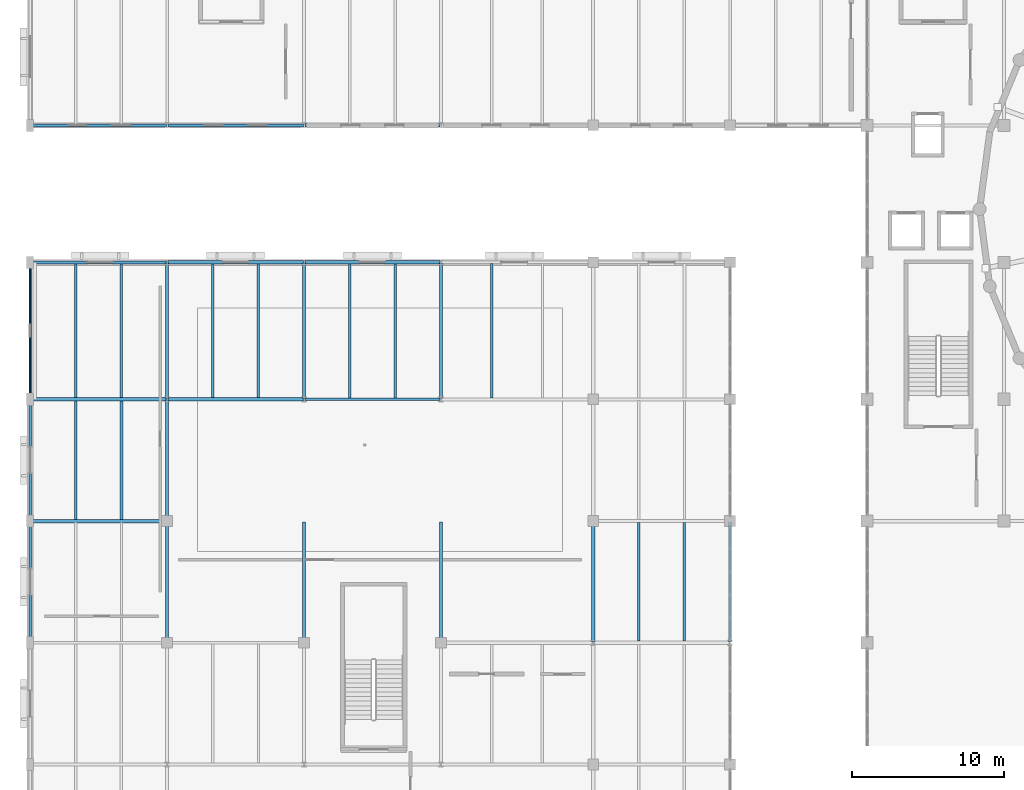
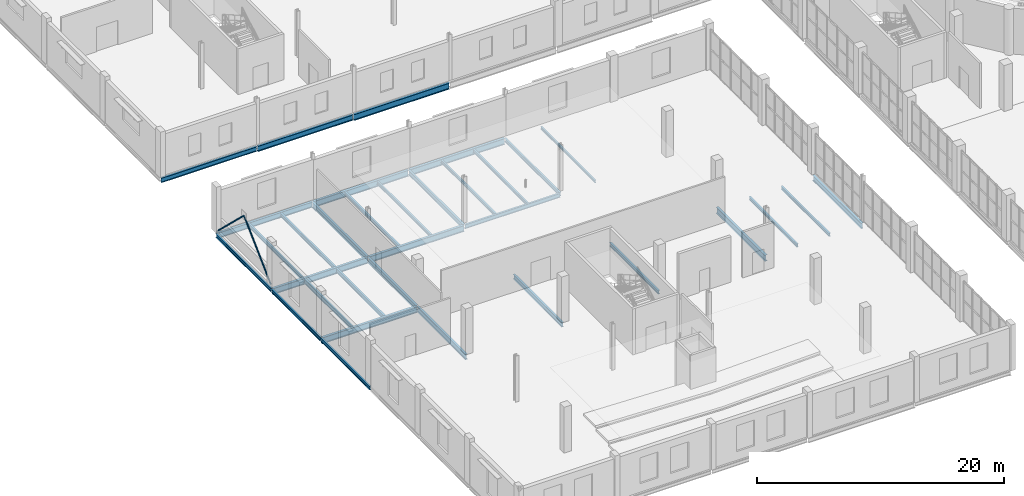
# One storey, part 26 of 93: 33 beams, 2 members.
"""IFC4 building model written with IfcOpenShell, lengths in metres."""

from ifc_helpers import new_model, si_unit, direction, frame, origin, origin_2d, place, context, subcontext, project, spatial, hollow_circle, i_section, extrude, material, material_profile, profile_set, type_object, element, save


model = new_model("IFC4")

# Units and contexts
model_context = context("Model", 3, precision=1e-05, world=origin(), true_north=direction((0.0, 1.0)))
body_context = subcontext(model_context, "Body", "Model", "MODEL_VIEW")
ifc_project = project(units=[si_unit("LENGTHUNIT", "METRE"), si_unit("AREAUNIT", "SQUARE_METRE"), si_unit("VOLUMEUNIT", "CUBIC_METRE"), si_unit("PLANEANGLEUNIT", "RADIAN"), si_unit("MASSUNIT", "GRAM", prefix="KILO")], contexts=[model_context])

# Site, building, storey
site_placement = place(None, origin())
site = spatial("IfcSite", under=ifc_project, at=site_placement, CompositionType="ELEMENT")
building_placement = place(site_placement, origin())
building = spatial("IfcBuilding", under=site, at=building_placement, Name="Marnock Terrace Opera House", CompositionType="ELEMENT")
storey_placement = place(building_placement, frame((0.0, 0.0, 5.39990234375)))
storey = spatial("IfcBuildingStorey", under=building, at=storey_placement, Name="L01", CompositionType="ELEMENT", Elevation=5.39990234375)

# Beams
ifc_material_1 = material(Name="Steel Grade 350 (AS/NZS 3679.1)", Category="steel")
ifc_material_profile_1 = material_profile(ifc_material_1, i_section(OverallWidth=0.1708984375, OverallDepth=0.355712890625, WebThickness=0.00732421875, FlangeThickness=0.011474609375, FilletRadius=0.011474609375, at=origin_2d()))
ifc_profile_set_1 = profile_set([ifc_material_profile_1], Name="Steel Grade 350 (AS/NZS 3679.1)")
beam_type_1 = type_object("IfcBeamType", Name="BM-GIRD-360", PredefinedType="BEAM", material=ifc_profile_set_1)
beam_1_placement = place(storey_placement, frame((27.0, 32.050048828125, -0.457763671875), z_axis=(0.0, 1.0, 0.0), x_axis=(-1.0, 0.0, 0.0)))
element("IfcBeam", 1, at=beam_1_placement, inside=storey, type_object=beam_type_1, Name="L01 girder (X=27.0, 32.0..40.0)", PredefinedType="BEAM", context=body_context, shape_type="SweptSolid", body=[
    extrude(i_section(OverallWidth=0.1708984375, OverallDepth=0.355712890625, WebThickness=0.00732421875, FlangeThickness=0.011474609375, FilletRadius=0.011474609375, at=origin_2d()), origin(), (0.0, 0.0, 1.0), 7.89990234375),
])
beam_2_placement = place(storey_placement, frame((27.0, 48.050048828125, -0.457763671875), z_axis=(0.0, 1.0, 0.0), x_axis=(-1.0, 0.0, 0.0)))
element("IfcBeam", 2, at=beam_2_placement, inside=storey, type_object=beam_type_1, Name="L01 girder (X=27.0, 48.0..57.0)", PredefinedType="BEAM", context=body_context, shape_type="SweptSolid", body=[
    extrude(i_section(OverallWidth=0.1708984375, OverallDepth=0.355712890625, WebThickness=0.00732421875, FlangeThickness=0.011474609375, FilletRadius=0.011474609375, at=origin_2d()), origin(), (0.0, 0.0, 1.0), 8.89990234375),
])
ifc_material_profile_2 = material_profile(ifc_material_1, i_section(OverallWidth=0.177978515625, OverallDepth=0.402587890625, WebThickness=0.007568359375, FlangeThickness=0.010986328125, FilletRadius=0.011474609375, at=origin_2d()))
ifc_profile_set_2 = profile_set([ifc_material_profile_2], Name="Steel Grade 350 (AS/NZS 3679.1)")
beam_type_2 = type_object("IfcBeamType", Name="BM-GIRD-410", PredefinedType="BEAM", material=ifc_profile_set_2)
beam_3_placement = place(storey_placement, frame((18.050048828125, 48.0, -0.481201171875), z_axis=(1.0, 0.0, 0.0), x_axis=(0.0, 1.0, 0.0)))
element("IfcBeam", 3, at=beam_3_placement, inside=storey, type_object=beam_type_2, Name="L01 girder (18.0..27.0, Y=48.0)", PredefinedType="BEAM", context=body_context, shape_type="SweptSolid", body=[
    extrude(i_section(OverallWidth=0.177978515625, OverallDepth=0.402587890625, WebThickness=0.007568359375, FlangeThickness=0.010986328125, FilletRadius=0.011474609375, at=origin_2d()), origin(), (0.0, 0.0, 1.0), 8.89990234375),
])
ifc_material_profile_3 = material_profile(ifc_material_1, i_section(OverallWidth=0.19091796875, OverallDepth=0.46044921875, WebThickness=0.010009765625, FlangeThickness=0.01611328125, FilletRadius=0.011474609375, at=origin_2d()))
ifc_profile_set_3 = profile_set([ifc_material_profile_3], Name="Steel Grade 350 (AS/NZS 3679.1)")
beam_type_3 = type_object("IfcBeamType", Name="BM-GIRD-460A", PredefinedType="BEAM", material=ifc_profile_set_3)
beam_4_placement = place(storey_placement, frame((0.050048828125, 66.0, -0.510009765625), z_axis=(1.0, 0.0, 0.0), x_axis=(0.0, 1.0, 0.0)))
element("IfcBeam", 4, at=beam_4_placement, inside=storey, type_object=beam_type_3, Name="L01 girder (0.0..9.0, Y=66.0)", PredefinedType="BEAM", context=body_context, shape_type="SweptSolid", body=[
    extrude(i_section(OverallWidth=0.19091796875, OverallDepth=0.46044921875, WebThickness=0.010009765625, FlangeThickness=0.01611328125, FilletRadius=0.011474609375, at=origin_2d()), origin(), (0.0, 0.0, 1.0), 8.89990234375),
])
ifc_material_profile_4 = material_profile(ifc_material_1, i_section(OverallWidth=0.18994140625, OverallDepth=0.45751953125, WebThickness=0.009033203125, FlangeThickness=0.014404296875, FilletRadius=0.011474609375, at=origin_2d()))
ifc_profile_set_4 = profile_set([ifc_material_profile_4], Name="Steel Grade 350 (AS/NZS 3679.1)")
beam_type_4 = type_object("IfcBeamType", Name="BM-GIRD-460B", PredefinedType="BEAM", material=ifc_profile_set_4)
beam_5_placement = place(storey_placement, frame((18.0, 32.050048828125, -0.508544921875), z_axis=(0.0, 1.0, 0.0), x_axis=(-1.0, 0.0, 0.0)))
element("IfcBeam", 5, at=beam_5_placement, inside=storey, type_object=beam_type_4, Name="L01 girder (X=18.0, 32.0..40.0)", PredefinedType="BEAM", context=body_context, shape_type="SweptSolid", body=[
    extrude(i_section(OverallWidth=0.18994140625, OverallDepth=0.45751953125, WebThickness=0.009033203125, FlangeThickness=0.014404296875, FilletRadius=0.011474609375, at=origin_2d()), origin(), (0.0, 0.0, 1.0), 7.89990234375),
])
beam_6_placement = place(storey_placement, frame((18.0, 48.050048828125, -0.508544921875), z_axis=(0.0, 1.0, 0.0), x_axis=(-1.0, 0.0, 0.0)))
element("IfcBeam", 6, at=beam_6_placement, inside=storey, type_object=beam_type_4, Name="L01 girder (X=18.0, 48.0..57.0)", PredefinedType="BEAM", context=body_context, shape_type="SweptSolid", body=[
    extrude(i_section(OverallWidth=0.18994140625, OverallDepth=0.45751953125, WebThickness=0.009033203125, FlangeThickness=0.014404296875, FilletRadius=0.011474609375, at=origin_2d()), origin(), (0.0, 0.0, 1.0), 8.89990234375),
])
ifc_material_profile_5 = material_profile(ifc_material_1, i_section(OverallWidth=0.208984375, OverallDepth=0.532958984375, WebThickness=0.01025390625, FlangeThickness=0.015625, FilletRadius=0.013916015625, at=origin_2d()))
ifc_profile_set_5 = profile_set([ifc_material_profile_5], Name="Steel Grade 350 (AS/NZS 3679.1)")
beam_type_5 = type_object("IfcBeamType", Name="BM-GIRD-530A", PredefinedType="BEAM", material=ifc_profile_set_5)
for number, where, z_axis, x_axis, name in (
    (7, (0.050048828125, 57.0, -0.54638671875), (1.0, 0.0, 0.0), (0.0, 1.0, 0.0), "L01 girder (0.0..9.0, Y=57.0)"),
    (8, (9.050048828125, 66.0, -0.54638671875), (1.0, 0.0, 0.0), (0.0, 1.0, 0.0), "L01 girder (9.0..18.0, Y=66.0)"),
):
    element("IfcBeam", number, at=place(storey_placement, frame(where, z_axis=z_axis, x_axis=x_axis)), inside=storey, type_object=beam_type_5, Name=name, PredefinedType="BEAM", context=body_context, shape_type="SweptSolid", body=[
        extrude(i_section(OverallWidth=0.208984375, OverallDepth=0.532958984375, WebThickness=0.01025390625, FlangeThickness=0.015625, FilletRadius=0.013916015625, at=origin_2d()), origin(), (0.0, 0.0, 1.0), 8.89990234375),
    ])
ifc_material_profile_6 = material_profile(ifc_material_1, i_section(OverallWidth=0.208984375, OverallDepth=0.528076171875, WebThickness=0.009521484375, FlangeThickness=0.01318359375, FilletRadius=0.013916015625, at=origin_2d()))
ifc_profile_set_6 = profile_set([ifc_material_profile_6], Name="Steel Grade 350 (AS/NZS 3679.1)")
beam_type_6 = type_object("IfcBeamType", Name="BM-GIRD-530B", PredefinedType="BEAM", material=ifc_profile_set_6)
for number, where, z_axis, x_axis, name in (
    (9, (9.0, 32.050048828125, -0.5439453125), (0.0, 1.0, 0.0), (-1.0, 0.0, 0.0), "L01 girder (X=9.0, 32.0..40.0)"),
    (10, (9.0, 40.050048828125, -0.5439453125), (0.0, 1.0, 0.0), (-1.0, 0.0, 0.0), "L01 girder (X=9.0, 40.0..48.0)"),
):
    element("IfcBeam", number, at=place(storey_placement, frame(where, z_axis=z_axis, x_axis=x_axis)), inside=storey, type_object=beam_type_6, Name=name, PredefinedType="BEAM", context=body_context, shape_type="SweptSolid", body=[
        extrude(i_section(OverallWidth=0.208984375, OverallDepth=0.528076171875, WebThickness=0.009521484375, FlangeThickness=0.01318359375, FilletRadius=0.013916015625, at=origin_2d()), origin(), (0.0, 0.0, 1.0), 7.89990234375),
    ])
beam_7_placement = place(storey_placement, frame((9.0, 48.050048828125, -0.5439453125), z_axis=(0.0, 1.0, 0.0), x_axis=(-1.0, 0.0, 0.0)))
element("IfcBeam", 11, at=beam_7_placement, inside=storey, type_object=beam_type_6, Name="L01 girder (X=9.0, 48.0..57.0)", PredefinedType="BEAM", context=body_context, shape_type="SweptSolid", body=[
    extrude(i_section(OverallWidth=0.208984375, OverallDepth=0.528076171875, WebThickness=0.009521484375, FlangeThickness=0.01318359375, FilletRadius=0.013916015625, at=origin_2d()), origin(), (0.0, 0.0, 1.0), 8.89990234375),
])
beam_8_placement = place(storey_placement, frame((46.0, 32.050048828125, -0.5439453125), z_axis=(0.0, 1.0, 0.0), x_axis=(-1.0, 0.0, 0.0)))
element("IfcBeam", 12, at=beam_8_placement, inside=storey, type_object=beam_type_6, Name="L01 girder (X=46.0, 32.0..40.0)", PredefinedType="BEAM", context=body_context, shape_type="SweptSolid", body=[
    extrude(i_section(OverallWidth=0.208984375, OverallDepth=0.528076171875, WebThickness=0.009521484375, FlangeThickness=0.01318359375, FilletRadius=0.013916015625, at=origin_2d()), origin(), (0.0, 0.0, 1.0), 7.89990234375),
])
ifc_material_profile_7 = material_profile(ifc_material_1, i_section(OverallWidth=0.22900390625, OverallDepth=0.611572265625, WebThickness=0.011962890625, FlangeThickness=0.01953125, FilletRadius=0.013916015625, at=origin_2d()))
ifc_profile_set_7 = profile_set([ifc_material_profile_7], Name="Steel Grade 350 (AS/NZS 3679.1)")
beam_type_7 = type_object("IfcBeamType", Name="BM-GIRD-610A", PredefinedType="BEAM", material=ifc_profile_set_7)
for number, where, z_axis, x_axis, name in (
    (13, (0.050048828125, 40.0, -0.585693359375), (1.0, 0.0, 0.0), (0.0, 1.0, 0.0), "L01 girder (0.0..9.0, Y=40.0)"),
    (14, (9.050048828125, 48.0, -0.585693359375), (1.0, 0.0, 0.0), (0.0, 1.0, 0.0), "L01 girder (9.0..18.0, Y=48.0)"),
    (15, (18.050048828125, 57.0, -0.585693359375), (1.0, 0.0, 0.0), (0.0, 1.0, 0.0), "L01 girder (18.0..27.0, Y=57.0)"),
):
    element("IfcBeam", number, at=place(storey_placement, frame(where, z_axis=z_axis, x_axis=x_axis)), inside=storey, type_object=beam_type_7, Name=name, PredefinedType="BEAM", context=body_context, shape_type="SweptSolid", body=[
        extrude(i_section(OverallWidth=0.22900390625, OverallDepth=0.611572265625, WebThickness=0.011962890625, FlangeThickness=0.01953125, FilletRadius=0.013916015625, at=origin_2d()), origin(), (0.0, 0.0, 1.0), 8.89990234375),
    ])
ifc_material_profile_8 = material_profile(ifc_material_1, i_section(OverallWidth=0.22802734375, OverallDepth=0.60693359375, WebThickness=0.01123046875, FlangeThickness=0.017333984375, FilletRadius=0.013916015625, at=origin_2d()))
ifc_profile_set_8 = profile_set([ifc_material_profile_8], Name="Steel Grade 350 (AS/NZS 3679.1)")
beam_type_8 = type_object("IfcBeamType", Name="BM-GIRD-610B", PredefinedType="BEAM", material=ifc_profile_set_8)
for number, where, z_axis, x_axis, name in (
    (16, (0.050048828125, 48.0, -0.58349609375), (1.0, 0.0, 0.0), (0.0, 1.0, 0.0), "L01 girder (0.0..9.0, Y=48.0)"),
    (17, (9.050048828125, 57.0, -0.58349609375), (1.0, 0.0, 0.0), (0.0, 1.0, 0.0), "L01 girder (9.0..18.0, Y=57.0)"),
    (18, (18.050048828125, 66.0, -0.58349609375), (1.0, 0.0, 0.0), (0.0, 1.0, 0.0), "L01 girder (18.0..27.0, Y=66.0)"),
):
    element("IfcBeam", number, at=place(storey_placement, frame(where, z_axis=z_axis, x_axis=x_axis)), inside=storey, type_object=beam_type_8, Name=name, PredefinedType="BEAM", context=body_context, shape_type="SweptSolid", body=[
        extrude(i_section(OverallWidth=0.22802734375, OverallDepth=0.60693359375, WebThickness=0.01123046875, FlangeThickness=0.017333984375, FilletRadius=0.013916015625, at=origin_2d()), origin(), (0.0, 0.0, 1.0), 8.89990234375),
    ])
ifc_material_profile_9 = material_profile(ifc_material_1, i_section(OverallWidth=0.22802734375, OverallDepth=0.60205078125, WebThickness=0.010498046875, FlangeThickness=0.014892578125, FilletRadius=0.013916015625, at=origin_2d()))
ifc_profile_set_9 = profile_set([ifc_material_profile_9], Name="Steel Grade 350 (AS/NZS 3679.1)")
beam_type_9 = type_object("IfcBeamType", Name="BM-GIRD-610C", PredefinedType="BEAM", material=ifc_profile_set_9)
beam_9_placement = place(storey_placement, frame((37.0, 32.050048828125, -0.580810546875), z_axis=(0.0, 1.0, 0.0), x_axis=(-1.0, 0.0, 0.0)))
element("IfcBeam", 19, at=beam_9_placement, inside=storey, type_object=beam_type_9, Name="L01 girder (X=37.0, 32.0..40.0)", PredefinedType="BEAM", context=body_context, shape_type="SweptSolid", body=[
    extrude(i_section(OverallWidth=0.22802734375, OverallDepth=0.60205078125, WebThickness=0.010498046875, FlangeThickness=0.014892578125, FilletRadius=0.013916015625, at=origin_2d()), origin(), (0.0, 0.0, 1.0), 7.89990234375),
])
ifc_material_profile_10 = material_profile(ifc_material_1, i_section(OverallWidth=0.14599609375, OverallDepth=0.256103515625, WebThickness=0.00634765625, FlangeThickness=0.010986328125, FilletRadius=0.0087890625, at=origin_2d()))
ifc_profile_set_10 = profile_set([ifc_material_profile_10], Name="Steel Grade 350 (AS/NZS 3679.1)")
beam_type_10 = type_object("IfcBeamType", Name="BM-JOIST-250", PredefinedType="JOIST", material=ifc_profile_set_10)
beam_10_placement = place(storey_placement, frame((30.333251953125, 48.090576171875, -0.407958984375), z_axis=(0.0, 1.0, 0.0), x_axis=(-1.0, 0.0, 0.0)))
element("IfcBeam", 20, at=beam_10_placement, inside=storey, type_object=beam_type_10, Name="L01 secondary joist 3.6.1", PredefinedType="JOIST", context=body_context, shape_type="SweptSolid", body=[
    extrude(i_section(OverallWidth=0.14599609375, OverallDepth=0.256103515625, WebThickness=0.00634765625, FlangeThickness=0.010986328125, FilletRadius=0.0087890625, at=origin_2d()), origin(), (0.0, 0.0, 1.0), 8.825439453125),
])
ifc_material_profile_11 = material_profile(ifc_material_1, i_section(OverallWidth=0.166015625, OverallDepth=0.30712890625, WebThickness=0.006591796875, FlangeThickness=0.01171875, FilletRadius=0.011474609375, at=origin_2d()))
ifc_profile_set_11 = profile_set([ifc_material_profile_11], Name="Steel Grade 350 (AS/NZS 3679.1)")
beam_type_11 = type_object("IfcBeamType", Name="BM-JOIST-310A", PredefinedType="JOIST", material=ifc_profile_set_11)
for number, where, z_axis, x_axis, name in (
    (21, (12.0, 48.109619140625, -0.43359375), (0.0, 1.0, 0.0), (-1.0, 0.0, 0.0), "L01 secondary joist 1.6.1"),
    (22, (15.0, 48.109619140625, -0.43359375), (0.0, 1.0, 0.0), (-1.0, 0.0, 0.0), "L01 secondary joist 1.6.2"),
):
    element("IfcBeam", number, at=place(storey_placement, frame(where, z_axis=z_axis, x_axis=x_axis)), inside=storey, type_object=beam_type_11, Name=name, PredefinedType="JOIST", context=body_context, shape_type="SweptSolid", body=[
        extrude(i_section(OverallWidth=0.166015625, OverallDepth=0.30712890625, WebThickness=0.006591796875, FlangeThickness=0.01171875, FilletRadius=0.011474609375, at=origin_2d()), origin(), (0.0, 0.0, 1.0), 8.781494140625),
    ])
ifc_material_profile_12 = material_profile(ifc_material_1, i_section(OverallWidth=0.1650390625, OverallDepth=0.3037109375, WebThickness=0.006103515625, FlangeThickness=0.01025390625, FilletRadius=0.011474609375, at=origin_2d()))
ifc_profile_set_12 = profile_set([ifc_material_profile_12], Name="Steel Grade 350 (AS/NZS 3679.1)")
beam_type_12 = type_object("IfcBeamType", Name="BM-JOIST-310B", PredefinedType="JOIST", material=ifc_profile_set_12)
for number, where, z_axis, x_axis, name in (
    (23, (21.0, 48.083984375, -0.431884765625), (0.0, 1.0, 0.0), (-1.0, 0.0, 0.0), "L01 secondary joist 2.6.1"),
    (24, (24.0, 48.083984375, -0.431884765625), (0.0, 1.0, 0.0), (-1.0, 0.0, 0.0), "L01 secondary joist 2.6.2"),
):
    element("IfcBeam", number, at=place(storey_placement, frame(where, z_axis=z_axis, x_axis=x_axis)), inside=storey, type_object=beam_type_12, Name=name, PredefinedType="JOIST", context=body_context, shape_type="SweptSolid", body=[
        extrude(i_section(OverallWidth=0.1650390625, OverallDepth=0.3037109375, WebThickness=0.006103515625, FlangeThickness=0.01025390625, FilletRadius=0.011474609375, at=origin_2d()), origin(), (0.0, 0.0, 1.0), 8.806396484375),
    ])
for number, where, z_axis, x_axis, name in (
    (25, (40.0, 32.10888671875, -0.431884765625), (0.0, 1.0, 0.0), (-1.0, 0.0, 0.0), "L01 secondary joist 4.4.1"),
    (26, (43.0, 32.10888671875, -0.431884765625), (0.0, 1.0, 0.0), (-1.0, 0.0, 0.0), "L01 secondary joist 4.4.2"),
):
    element("IfcBeam", number, at=place(storey_placement, frame(where, z_axis=z_axis, x_axis=x_axis)), inside=storey, type_object=beam_type_12, Name=name, PredefinedType="JOIST", context=body_context, shape_type="SweptSolid", body=[
        extrude(i_section(OverallWidth=0.1650390625, OverallDepth=0.3037109375, WebThickness=0.006103515625, FlangeThickness=0.01025390625, FilletRadius=0.011474609375, at=origin_2d()), origin(), (0.0, 0.0, 1.0), 7.79150390625),
    ])
ifc_material_profile_13 = material_profile(ifc_material_1, i_section(OverallWidth=0.172119140625, OverallDepth=0.358642578125, WebThickness=0.008056640625, FlangeThickness=0.012939453125, FilletRadius=0.011474609375, at=origin_2d()))
ifc_profile_set_13 = profile_set([ifc_material_profile_13], Name="Steel Grade 350 (AS/NZS 3679.1)")
beam_type_13 = type_object("IfcBeamType", Name="BM-JOIST-360", PredefinedType="JOIST", material=ifc_profile_set_13)
for number, where, z_axis, x_axis, name in (
    (27, (3.0, 48.10888671875, -0.459228515625), (0.0, 1.0, 0.0), (-1.0, 0.0, 0.0), "L01 secondary joist 0.6.1"),
    (28, (6.0, 48.10888671875, -0.459228515625), (0.0, 1.0, 0.0), (-1.0, 0.0, 0.0), "L01 secondary joist 0.6.2"),
):
    element("IfcBeam", number, at=place(storey_placement, frame(where, z_axis=z_axis, x_axis=x_axis)), inside=storey, type_object=beam_type_13, Name=name, PredefinedType="JOIST", context=body_context, shape_type="SweptSolid", body=[
        extrude(i_section(OverallWidth=0.172119140625, OverallDepth=0.358642578125, WebThickness=0.008056640625, FlangeThickness=0.012939453125, FilletRadius=0.011474609375, at=origin_2d()), origin(), (0.0, 0.0, 1.0), 8.79150390625),
    ])
ifc_material_profile_14 = material_profile(ifc_material_1, i_section(OverallWidth=0.177978515625, OverallDepth=0.406494140625, WebThickness=0.0078125, FlangeThickness=0.0126953125, FilletRadius=0.011474609375, at=origin_2d()))
ifc_profile_set_14 = profile_set([ifc_material_profile_14], Name="Steel Grade 350 (AS/NZS 3679.1)")
beam_type_14 = type_object("IfcBeamType", Name="BM-JOIST-410", PredefinedType="JOIST", material=ifc_profile_set_14)
for number, where, z_axis, x_axis, name in (
    (29, (3.0, 40.109619140625, -0.483154296875), (0.0, 1.0, 0.0), (-1.0, 0.0, 0.0), "L01 secondary joist 0.5.1"),
    (30, (6.0, 40.109619140625, -0.483154296875), (0.0, 1.0, 0.0), (-1.0, 0.0, 0.0), "L01 secondary joist 0.5.2"),
):
    element("IfcBeam", number, at=place(storey_placement, frame(where, z_axis=z_axis, x_axis=x_axis)), inside=storey, type_object=beam_type_14, Name=name, PredefinedType="JOIST", context=body_context, shape_type="SweptSolid", body=[
        extrude(i_section(OverallWidth=0.177978515625, OverallDepth=0.406494140625, WebThickness=0.0078125, FlangeThickness=0.0126953125, FilletRadius=0.011474609375, at=origin_2d()), origin(), (0.0, 0.0, 1.0), 7.781494140625),
    ])
ifc_material_profile_15 = material_profile(ifc_material_1, i_section(OverallWidth=0.172119140625, OverallDepth=0.358642578125, WebThickness=0.008056640625, FlangeThickness=0.012939453125, FilletRadius=0.011474609375, at=origin_2d()))
ifc_profile_set_15 = profile_set([ifc_material_profile_15], Name="Steel Grade 350 (AS/NZS 3679.1)")
beam_type_15 = type_object("IfcBeamType", Name="BM-SPAN-360", PredefinedType="SPANDREL", material=ifc_profile_set_15)
for number, where, z_axis, x_axis, name in (
    (31, (0.0, 32.050048828125, -0.459228515625), (0.0, 1.0, 0.0), (-1.0, 0.0, 0.0), "L01 girder (X=0.0, 32.0..40.0)"),
    (32, (0.0, 40.050048828125, -0.459228515625), (0.0, 1.0, 0.0), (-1.0, 0.0, 0.0), "L01 girder (X=0.0, 40.0..48.0)"),
):
    element("IfcBeam", number, at=place(storey_placement, frame(where, z_axis=z_axis, x_axis=x_axis)), inside=storey, type_object=beam_type_15, Name=name, PredefinedType="SPANDREL", context=body_context, shape_type="SweptSolid", body=[
        extrude(i_section(OverallWidth=0.172119140625, OverallDepth=0.358642578125, WebThickness=0.008056640625, FlangeThickness=0.012939453125, FilletRadius=0.011474609375, at=origin_2d()), origin(), (0.0, 0.0, 1.0), 7.89990234375),
    ])
beam_11_placement = place(storey_placement, frame((0.0, 48.050048828125, -0.459228515625), z_axis=(0.0, 1.0, 0.0), x_axis=(-1.0, 0.0, 0.0)))
element("IfcBeam", 33, at=beam_11_placement, inside=storey, type_object=beam_type_15, Name="L01 girder (X=0.0, 48.0..57.0)", PredefinedType="SPANDREL", context=body_context, shape_type="SweptSolid", body=[
    extrude(i_section(OverallWidth=0.172119140625, OverallDepth=0.358642578125, WebThickness=0.008056640625, FlangeThickness=0.012939453125, FilletRadius=0.011474609375, at=origin_2d()), origin(), (0.0, 0.0, 1.0), 8.89990234375),
])

# Members
ifc_material_2 = material(Name="Cold-formed Steel Grade C350L0 (AS/NZS 1163)", Category="steel")
ifc_material_profile_16 = material_profile(ifc_material_2, hollow_circle(Radius=0.06982421875, WallThickness=0.00634765625, at=origin_2d()))
ifc_profile_set_16 = profile_set([ifc_material_profile_16], Name="Cold-formed Steel Grade C350L0 (AS/NZS 1163)")
member_type = type_object("IfcMemberType", Name="MEM-BRACE-CHS3", PredefinedType="BRACE", material=ifc_profile_set_16)
for number, where, z_axis, x_axis, name in (
    (34, (0.0, 48.14990234375, 0.0), (0.0, 0.721049208818, 0.692883856402), (-1.0, 0.0, 0.0), "L01 chevron brace A"),
    (35, (0.0, 56.85009765625, 0.0), (0.0, -0.721049208818, 0.692883856402), (1.0, 0.0, 0.0), "L01 chevron brace B"),
):
    element("IfcMember", number, at=place(storey_placement, frame(where, z_axis=z_axis, x_axis=x_axis)), inside=storey, type_object=member_type, Name=name, PredefinedType="BRACE", context=body_context, shape_type="SweptSolid", body=[
        extrude(hollow_circle(Radius=0.06982421875, WallThickness=0.00634765625, at=origin_2d()), origin(), (0.0, 0.0, 1.0), 6.032958984375),
    ])

save(model, "model.ifc")
